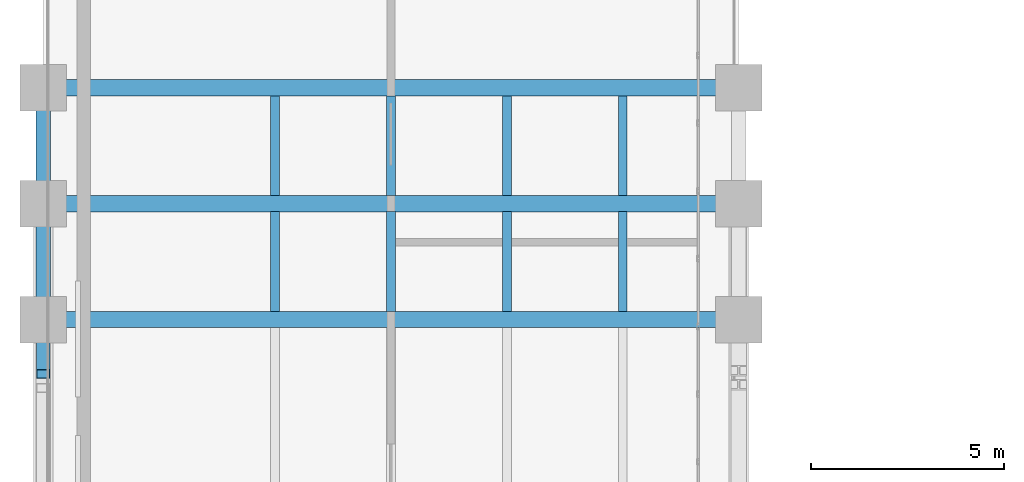
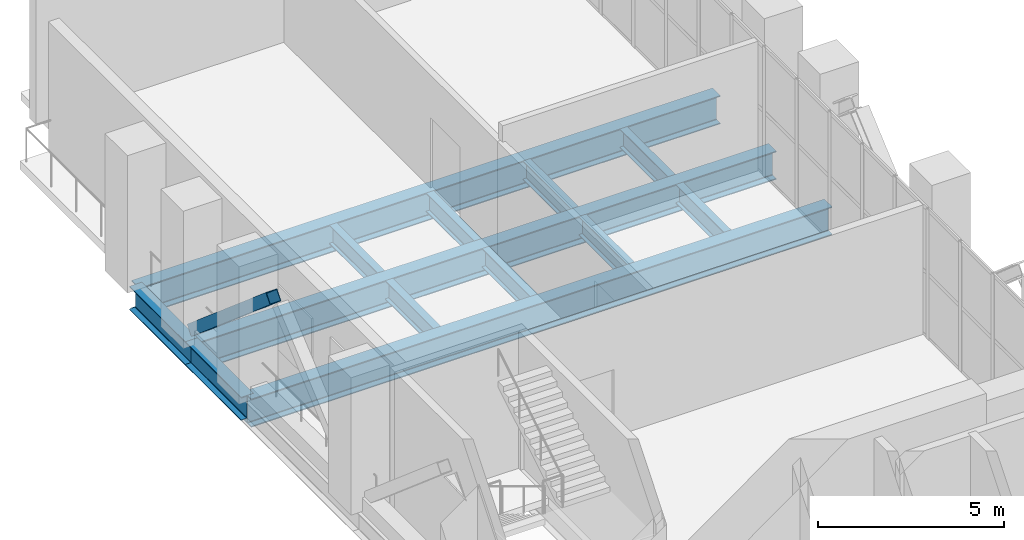
# One storey, part 19 of 27: 13 beams, 1 member.
"""IFC4 building model written with IfcOpenShell, lengths in metres."""

from ifc_helpers import new_model, si_unit, direction, frame, origin, origin_2d, place, context, subcontext, project, spatial, hollow_rectangle, i_section, extrude, material, material_profile, profile_set, type_object, element, save


model = new_model("IFC4")

# Units and contexts
model_context = context("Model", 3, precision=1e-05, world=origin(), true_north=direction((0.0, 1.0)))
body_context = subcontext(model_context, "Body", "Model", "MODEL_VIEW")
ifc_project = project(units=[si_unit("LENGTHUNIT", "METRE"), si_unit("AREAUNIT", "SQUARE_METRE"), si_unit("VOLUMEUNIT", "CUBIC_METRE"), si_unit("PLANEANGLEUNIT", "RADIAN"), si_unit("MASSUNIT", "GRAM", prefix="KILO")], contexts=[model_context])

# Site, building, storey
site_placement = place(None, origin())
site = spatial("IfcSite", under=ifc_project, at=site_placement, CompositionType="ELEMENT")
building_placement = place(site_placement, origin())
building = spatial("IfcBuilding", under=site, at=building_placement, Name="Mawjdan Bourse Tower", CompositionType="ELEMENT")
storey_placement = place(building_placement, frame((0.0, 0.0, 84.60009765625)))
storey = spatial("IfcBuildingStorey", under=building, at=storey_placement, Name="L19", CompositionType="ELEMENT", Elevation=84.60009765625)

# Member
ifc_material_1 = material(Name="Structural Steel S460", Category="steel")
ifc_material_profile_1 = material_profile(ifc_material_1, hollow_rectangle(XDim=0.35009765625, YDim=0.35009765625, WallThickness=0.01611328125, at=origin_2d()), Name="HSS350X350X16")
ifc_profile_set_1 = profile_set([ifc_material_profile_1], Name="Structural Steel S460")
member_type = type_object("IfcMemberType", Name="BRC-HSS350X350X16", PredefinedType="BRACE", material=ifc_profile_set_1)
member_placement = place(storey_placement, frame((6.0, 34.595947265625, 3.7998046875), z_axis=(0.0, 0.760829478047, -0.648951851322), x_axis=(-1.0, 0.0, 0.0)))
element("IfcMember", 1, at=member_placement, inside=storey, type_object=member_type, Name="L19 North Outrigger Truss 1 Diagonal 4", PredefinedType="BRACE", context=body_context, shape_type="SweptSolid", body=[
    extrude(hollow_rectangle(XDim=0.35009765625, YDim=0.35009765625, WallThickness=0.01611328125, at=origin_2d()), origin(), (0.0, 0.0, 1.0), 5.547119140625),
])

# Beams
ifc_material_profile_2 = material_profile(ifc_material_1, i_section(OverallWidth=0.41796875, OverallDepth=0.927001953125, WebThickness=0.019287109375, FlangeThickness=0.031982421875, FilletRadius=0.025634765625, at=origin_2d()), Name="W36X231")
ifc_profile_set_2 = profile_set([ifc_material_profile_2], Name="Structural Steel S460")
beam_type_1 = type_object("IfcBeamType", Name="GRD-W36X231", PredefinedType="BEAM", material=ifc_profile_set_2)
for number, where, z_axis, x_axis, name in (
    (2, (6.0, 36.0, -0.74365234375), (1.0, 0.0, 0.0), (0.0, 1.0, 0.0), "L19 North Wing Clear-Span Girder 065"),
    (3, (6.0, 39.0, -0.74365234375), (1.0, 0.0, 0.0), (0.0, 1.0, 0.0), "L19 North Wing Clear-Span Girder 066"),
    (4, (6.0, 42.0, -0.74365234375), (1.0, 0.0, 0.0), (0.0, 1.0, 0.0), "L19 North Wing Clear-Span Girder 067"),
):
    element("IfcBeam", number, at=place(storey_placement, frame(where, z_axis=z_axis, x_axis=x_axis)), inside=storey, type_object=beam_type_1, Name=name, PredefinedType="BEAM", context=body_context, shape_type="SweptSolid", body=[
        extrude(i_section(OverallWidth=0.41796875, OverallDepth=0.927001953125, WebThickness=0.019287109375, FlangeThickness=0.031982421875, FilletRadius=0.025634765625, at=origin_2d()), origin(), (0.0, 0.0, 1.0), 18.0),
    ])
ifc_material_2 = material(Name="Structural Steel S355", Category="steel")
ifc_material_profile_3 = material_profile(ifc_material_2, i_section(OverallWidth=0.22998046875, OverallDepth=0.616943359375, WebThickness=0.01318359375, FlangeThickness=0.022216796875, FilletRadius=0.017822265625, at=origin_2d()), Name="W24X94")
ifc_profile_set_3 = profile_set([ifc_material_profile_3], Name="Structural Steel S355")
beam_type_2 = type_object("IfcBeamType", Name="JST-W24X94", PredefinedType="JOIST", material=ifc_profile_set_3)
for number, where, z_axis, x_axis, name in (
    (5, (12.0, 36.20703125, -0.588623046875), (0.0, 1.0, 0.0), (-1.0, 0.0, 0.0), "L19 North Wing Composite Joist 081"),
    (6, (12.0, 39.20703125, -0.588623046875), (0.0, 1.0, 0.0), (-1.0, 0.0, 0.0), "L19 North Wing Composite Joist 082"),
    (7, (15.0, 36.20703125, -0.588623046875), (0.0, 1.0, 0.0), (-1.0, 0.0, 0.0), "L19 North Wing Composite Joist 086"),
    (8, (15.0, 39.20703125, -0.588623046875), (0.0, 1.0, 0.0), (-1.0, 0.0, 0.0), "L19 North Wing Composite Joist 087"),
    (9, (18.0, 36.20703125, -0.588623046875), (0.0, 1.0, 0.0), (-1.0, 0.0, 0.0), "L19 North Wing Composite Joist 091"),
    (10, (18.0, 39.20703125, -0.588623046875), (0.0, 1.0, 0.0), (-1.0, 0.0, 0.0), "L19 North Wing Composite Joist 092"),
    (11, (21.0, 36.20703125, -0.588623046875), (0.0, 1.0, 0.0), (-1.0, 0.0, 0.0), "L19 North Wing Composite Joist 096"),
    (12, (21.0, 39.20703125, -0.588623046875), (0.0, 1.0, 0.0), (-1.0, 0.0, 0.0), "L19 North Wing Composite Joist 097"),
):
    element("IfcBeam", number, at=place(storey_placement, frame(where, z_axis=z_axis, x_axis=x_axis)), inside=storey, type_object=beam_type_2, Name=name, PredefinedType="JOIST", context=body_context, shape_type="SweptSolid", body=[
        extrude(i_section(OverallWidth=0.22998046875, OverallDepth=0.616943359375, WebThickness=0.01318359375, FlangeThickness=0.022216796875, FilletRadius=0.017822265625, at=origin_2d()), origin(), (0.0, 0.0, 1.0), 2.5859375),
    ])
ifc_material_profile_4 = material_profile(ifc_material_2, i_section(OverallWidth=0.381103515625, OverallDepth=0.77294921875, WebThickness=0.0166015625, FlangeThickness=0.027099609375, FilletRadius=0.021728515625, at=origin_2d()), Name="W30X173")
ifc_profile_set_4 = profile_set([ifc_material_profile_4], Name="Structural Steel S355")
beam_type_3 = type_object("IfcBeamType", Name="SPN-W30X173", PredefinedType="SPANDREL", material=ifc_profile_set_4)
for number, where, z_axis, x_axis, name in (
    (13, (6.0, 36.0, -0.66650390625), (0.0, 1.0, 0.0), (-1.0, 0.0, 0.0), "L19 North Wing Spandrel 071"),
    (14, (6.0, 39.0, -0.66650390625), (0.0, 1.0, 0.0), (-1.0, 0.0, 0.0), "L19 North Wing Spandrel 072"),
):
    element("IfcBeam", number, at=place(storey_placement, frame(where, z_axis=z_axis, x_axis=x_axis)), inside=storey, type_object=beam_type_3, Name=name, PredefinedType="SPANDREL", context=body_context, shape_type="SweptSolid", body=[
        extrude(i_section(OverallWidth=0.381103515625, OverallDepth=0.77294921875, WebThickness=0.0166015625, FlangeThickness=0.027099609375, FilletRadius=0.021728515625, at=origin_2d()), origin(), (0.0, 0.0, 1.0), 3.0),
    ])

save(model, "model.ifc")
